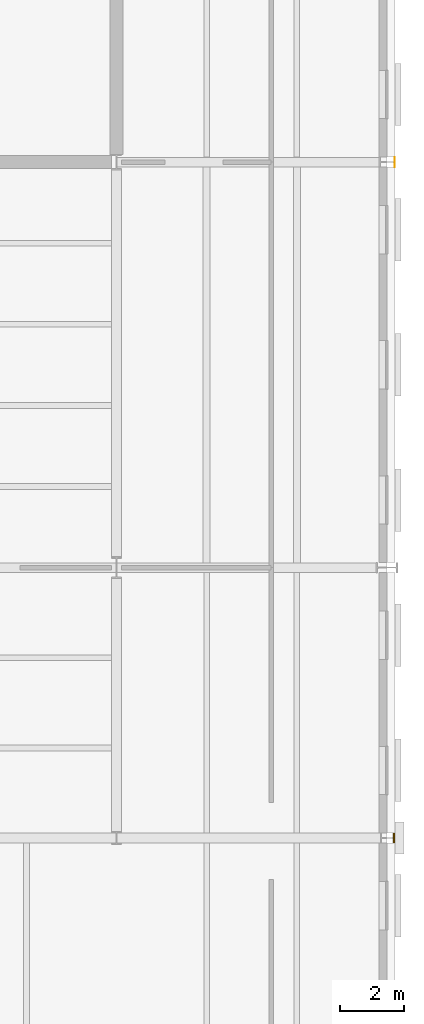
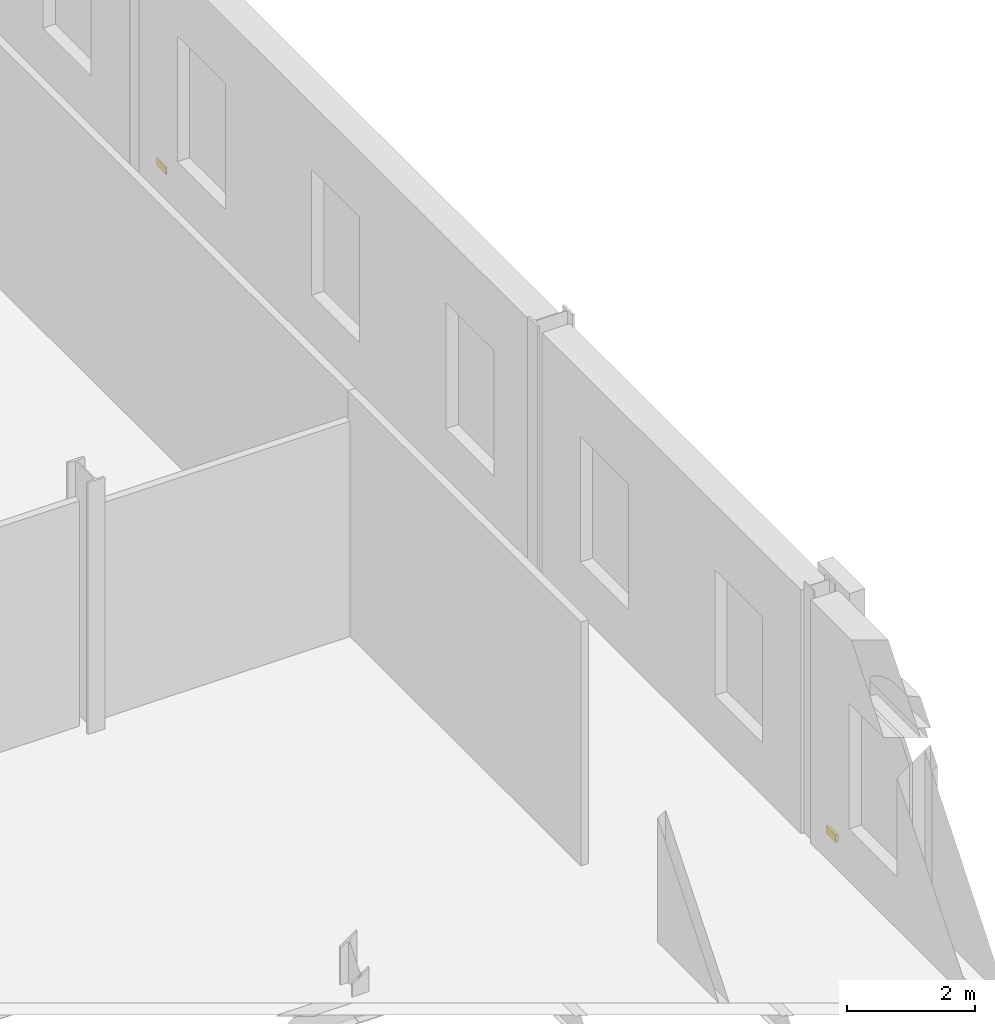
# One storey, part 55 of 57: 2 coverings.
"""IFC4 building model written with IfcOpenShell, lengths in metres."""

from ifc_helpers import new_model, si_unit, direction, frame, origin, origin_2d, place, context, subcontext, project, spatial, rectangle, extrude, material, layer, layer_set, type_object, element, save


model = new_model("IFC4")

# Units and contexts
model_context = context("Model", 3, precision=1e-05, world=origin(), true_north=direction((0.0, 1.0)))
body_context = subcontext(model_context, "Body", "Model", "MODEL_VIEW")
ifc_project = project(units=[si_unit("LENGTHUNIT", "METRE"), si_unit("AREAUNIT", "SQUARE_METRE"), si_unit("VOLUMEUNIT", "CUBIC_METRE"), si_unit("PLANEANGLEUNIT", "RADIAN"), si_unit("MASSUNIT", "GRAM", prefix="KILO")], contexts=[model_context])

# Site, building, storey
site_placement = place(None, origin())
site = spatial("IfcSite", under=ifc_project, at=site_placement, CompositionType="ELEMENT")
building_placement = place(site_placement, origin())
building = spatial("IfcBuilding", under=site, at=building_placement, Name="Galleria Vessillo Department Store", CompositionType="ELEMENT")
storey_placement = place(building_placement, frame((0.0, 0.0, 21.0)))
storey = spatial("IfcBuildingStorey", under=building, at=storey_placement, Name="L04", CompositionType="ELEMENT", Elevation=21.0)

# Coverings
ifc_material = material(Name="Botticino limestone ashlar", Category="masonry")
ifc_layer = layer(ifc_material, 0.14990234375)
ifc_layer_set = layer_set([ifc_layer], Name="Botticino limestone ashlar")
covering_type = type_object("IfcCoveringType", Name="Limestone slab-edge fascia 150 mm", PredefinedType="CLADDING", material=ifc_layer_set)
covering_1_placement = place(storey_placement, frame((117.824951171875, 16.800048828125, -0.14990234375), z_axis=(0.0, 0.0, 1.0), x_axis=(1.0, 0.0, 0.0)))
element("IfcCovering", 1, at=covering_1_placement, inside=storey, type_object=covering_type, Name="Joint block Slab-edge fascia SE-L03-01", PredefinedType="CLADDING", context=body_context, shape_type="SweptSolid", body=[
    extrude(rectangle(XDim=0.0498046875, YDim=0.300048828125, at=origin_2d()), origin(), (0.0, 0.0, 1.0), 0.14990234375),
])
covering_2_placement = place(storey_placement, frame((117.844482421875, 37.800048828125, -0.14990234375), z_axis=(0.0, 0.0, 1.0), x_axis=(1.0, 0.0, 0.0)))
element("IfcCovering", 2, at=covering_2_placement, inside=storey, type_object=covering_type, Name="Joint block Slab-edge fascia SE-L03-03", PredefinedType="CLADDING", context=body_context, shape_type="SweptSolid", body=[
    extrude(rectangle(XDim=0.010986328125, YDim=0.306884765625, at=origin_2d()), origin(), (0.0, 0.0, 1.0), 0.14990234375),
])

save(model, "model.ifc")
